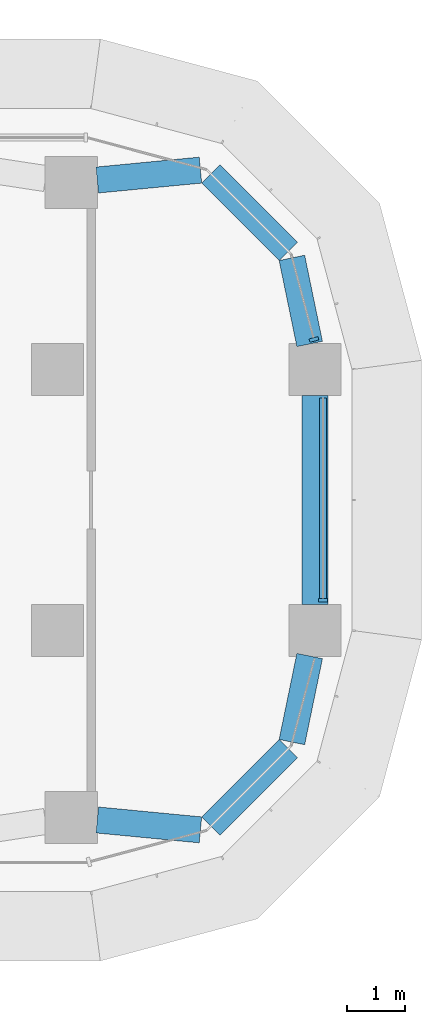
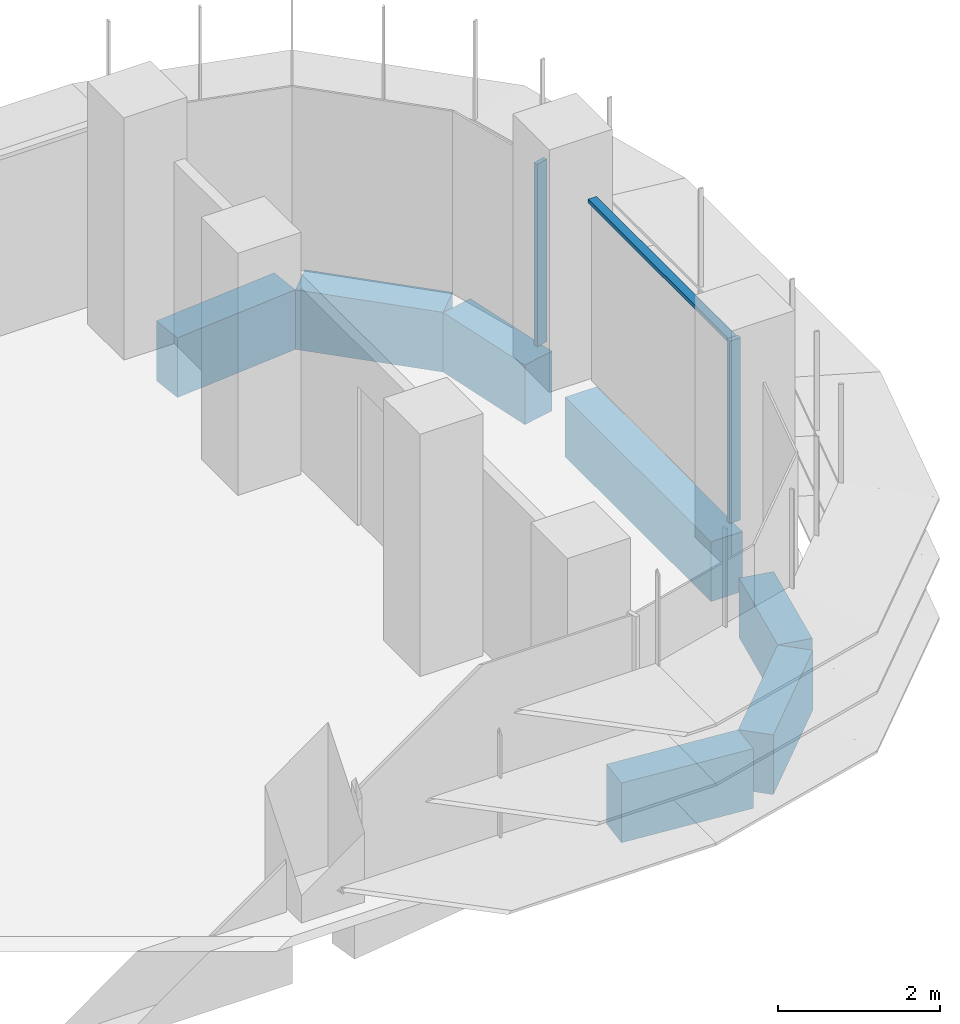
# One storey, part 10 of 22: 7 beams, 3 members, 2 elements without a shape of their own.
"""IFC4 building model written with IfcOpenShell, lengths in metres."""

from ifc_helpers import new_model, si_unit, direction, frame, origin, origin_2d, place, context, subcontext, project, spatial, polyline, rectangle, outline, extrude, source, transform, mapped, material, material_profile, profile_set, type_object, element, aggregate, save


model = new_model("IFC4")

# Units and contexts
model_context = context("Model", 3, precision=1e-05, world=origin(), true_north=direction((0.0, 1.0)))
body_context = subcontext(model_context, "Body", "Model", "MODEL_VIEW")
ifc_project = project(units=[si_unit("LENGTHUNIT", "METRE"), si_unit("AREAUNIT", "SQUARE_METRE"), si_unit("VOLUMEUNIT", "CUBIC_METRE"), si_unit("PLANEANGLEUNIT", "RADIAN"), si_unit("MASSUNIT", "GRAM", prefix="KILO")], contexts=[model_context])

# Site, building, storey
site_placement = place(None, origin())
site = spatial("IfcSite", under=ifc_project, at=site_placement, CompositionType="ELEMENT")
building_placement = place(site_placement, origin())
building = spatial("IfcBuilding", under=site, at=building_placement, Name="Zarbagh Exchange Tower", CompositionType="ELEMENT")
storey_placement = place(building_placement, frame((0.0, 0.0, 105.60009765625)))
storey = spatial("IfcBuildingStorey", under=building, at=storey_placement, Name="L24", CompositionType="ELEMENT", Elevation=105.60009765625)

# Beams
ifc_material_1 = material(Name="Concrete C60/75", Category="concrete")
ifc_material_profile = material_profile(ifc_material_1, rectangle(XDim=0.449951171875, YDim=0.89990234375, at=origin_2d()), Name="RC spandrel beam 450 x 900 C60/75")
ifc_profile_set = profile_set([ifc_material_profile], Name="Concrete C60/75")
beam_type = type_object("IfcBeamType", Name="RC spandrel beam 450 x 900 C60/75", PredefinedType="SPANDREL", material=ifc_profile_set)
beam_1_placement = place(storey_placement, frame((29.35595703125, 5.51806640625, -0.60009765625), z_axis=(0.995433267802, 0.095459988228, 0.0), x_axis=(-0.095459988228, 0.995433267802, 0.0)))
element("IfcBeam", 1, at=beam_1_placement, inside=storey, type_object=beam_type, Name="RC spandrel beam", PredefinedType="SPANDREL", context=body_context, shape_type="SweptSolid", body=[
    extrude(rectangle(XDim=0.449951171875, YDim=0.89990234375, at=origin_2d()), origin(), (0.0, 0.0, 1.0), 1.78759765625),
])
beam_2_placement = place(storey_placement, frame((31.316162109375, 5.623779296875, -0.60009765625), z_axis=(0.707106781187, -0.707106781187, 0.0), x_axis=(0.707106781187, 0.707106781187, 0.0)))
element("IfcBeam", 2, at=beam_2_placement, inside=storey, type_object=beam_type, Name="RC spandrel beam", PredefinedType="SPANDREL", context=body_context, shape_type="SweptSolid", body=[
    extrude(rectangle(XDim=0.449951171875, YDim=0.89990234375, at=origin_2d()), origin(), (0.0, 0.0, 1.0), 1.887939453125),
])
beam_3_placement = place(storey_placement, frame((32.71240234375, 4.17529296875, -0.60009765625), z_axis=(0.202275417995, -0.979328675816, 0.0), x_axis=(0.979328675816, 0.202275417995, 0.0)))
element("IfcBeam", 3, at=beam_3_placement, inside=storey, type_object=beam_type, Name="RC spandrel beam", PredefinedType="SPANDREL", context=body_context, shape_type="SweptSolid", body=[
    extrude(rectangle(XDim=0.449951171875, YDim=0.89990234375, at=origin_2d()), origin(), (0.0, 0.0, 1.0), 1.515869140625),
])
beam_4_placement = place(storey_placement, frame((33.110107421875, 1.800048828125, -0.60009765625), z_axis=(0.0, -1.0, 0.0), x_axis=(1.0, 0.0, 0.0)))
element("IfcBeam", 4, at=beam_4_placement, inside=storey, type_object=beam_type, Name="RC spandrel beam", PredefinedType="SPANDREL", context=body_context, shape_type="SweptSolid", body=[
    extrude(rectangle(XDim=0.449951171875, YDim=0.89990234375, at=origin_2d()), origin(), (0.0, 0.0, 1.0), 3.60009765625),
])
beam_5_placement = place(storey_placement, frame((33.01904296875, -2.690673828125, -0.60009765625), z_axis=(-0.202275417995, -0.979328675816, 0.0), x_axis=(0.979328675816, -0.202275417995, 0.0)))
element("IfcBeam", 5, at=beam_5_placement, inside=storey, type_object=beam_type, Name="RC spandrel beam", PredefinedType="SPANDREL", context=body_context, shape_type="SweptSolid", body=[
    extrude(rectangle(XDim=0.449951171875, YDim=0.89990234375, at=origin_2d()), origin(), (0.0, 0.0, 1.0), 1.515869140625),
])
beam_6_placement = place(storey_placement, frame((32.651123046875, -4.288818359375, -0.60009765625), z_axis=(-0.707106781187, -0.707106781187, 0.0), x_axis=(0.707106781187, -0.707106781187, 0.0)))
element("IfcBeam", 6, at=beam_6_placement, inside=storey, type_object=beam_type, Name="RC spandrel beam", PredefinedType="SPANDREL", context=body_context, shape_type="SweptSolid", body=[
    extrude(rectangle(XDim=0.449951171875, YDim=0.89990234375, at=origin_2d()), origin(), (0.0, 0.0, 1.0), 1.887939453125),
])
beam_7_placement = place(storey_placement, frame((31.135498046875, -5.688720703125, -0.60009765625), z_axis=(-0.995433267802, 0.095459988228, 0.0), x_axis=(-0.095459988228, -0.995433267802, 0.0)))
element("IfcBeam", 7, at=beam_7_placement, inside=storey, type_object=beam_type, Name="RC spandrel beam", PredefinedType="SPANDREL", context=body_context, shape_type="SweptSolid", body=[
    extrude(rectangle(XDim=0.449951171875, YDim=0.89990234375, at=origin_2d()), origin(), (0.0, 0.0, 1.0), 1.78759765625),
])

# Curtain wall, member
ifc_material_2 = material(Name="Anodised aluminium frame and glazing", Category="aluminium")
curtain_wall_type = type_object("IfcCurtainWallType", Name="CWA Ribbon glazing, lower zones", PredefinedType="NOTDEFINED", material=ifc_material_2)
curtain_wall_1_placement = place(storey_placement, origin())
curtain_wall_1 = element("IfcCurtainWall", 8, at=curtain_wall_1_placement, inside=storey, type_object=curtain_wall_type, Name="CWA12 curtain wall", PredefinedType="NOTDEFINED")
ifc_material_3 = material(Name="Anodised aluminium frame", Category="aluminium")
member_type_1 = type_object("IfcMemberType", Name="MUA Mullion, anodised aluminium frame", PredefinedType="MULLION", material=ifc_material_3)
shared_shape_1 = source(origin(), body_context, "Body", "SweptSolid", [
    extrude(outline(polyline([(0.0, -0.080078125), (0.06005859375, -0.080078125), (0.06005859375, 0.080078125), (0.0, 0.080078125), (0.0, -0.080078125)])), origin(), (0.0, 0.0, 1.0), 2.75),
])
placement = place(storey_placement, origin())
member_1 = element("IfcMember", 9, at=placement, type_object=member_type_1, Name="CWA12 mullion 1.1", PredefinedType="MULLION", context=body_context, shape_type="MappedRepresentation", body=[
    mapped(shared_shape_1, transform((33.25, -1.760009765625, 0.0), x_axis=(0.0, 1.0, 0.0), y_axis=(-1.0, 0.0, 0.0), z_axis=(0.0, 0.0, 1.0))),
])

curtain_wall_2_placement = place(storey_placement, origin())
curtain_wall_2 = element("IfcCurtainWall", 10, at=curtain_wall_2_placement, inside=storey, type_object=curtain_wall_type, Name="CWA13 curtain wall", PredefinedType="NOTDEFINED")
member_2 = element("IfcMember", 11, at=placement, type_object=member_type_1, Name="CWA13 mullion 1.1", PredefinedType="MULLION", context=body_context, shape_type="MappedRepresentation", body=[
    mapped(shared_shape_1, transform((33.10107421875, 2.739990234375, 0.0), x_axis=(-0.258824779902, 0.965924289636, 0.0), y_axis=(-0.965924289636, -0.258824779902, 0.0), z_axis=(0.0, 0.0, 1.0))),
])
aggregate(curtain_wall_2, [member_2])

# Member
member_type_2 = type_object("IfcMemberType", Name="TRA Transom, anodised aluminium frame", PredefinedType="USERDEFINED", material=ifc_material_3)
shared_shape_2 = source(origin(), body_context, "Body", "SweptSolid", [
    extrude(outline(polyline([(-0.06005859375, -0.06005859375), (0.0, -0.06005859375), (0.0, 0.06005859375), (-0.06005859375, 0.06005859375), (-0.06005859375, -0.06005859375)])), origin(), (0.0, 0.0, 1.0), 3.4599609375),
])
member_3 = element("IfcMember", 12, at=placement, type_object=member_type_2, Name="CWA12 transom 1.1", ObjectType="TRANSOM", PredefinedType="USERDEFINED", context=body_context, shape_type="MappedRepresentation", body=[
    mapped(shared_shape_2, transform((33.25, -1.699951171875, 2.75), x_axis=(0.0, 0.0, 1.0), y_axis=(1.0, 0.0, 0.0), z_axis=(0.0, 1.0, 0.0))),
])

aggregate(curtain_wall_1, [member_1, member_3])

save(model, "model.ifc")
